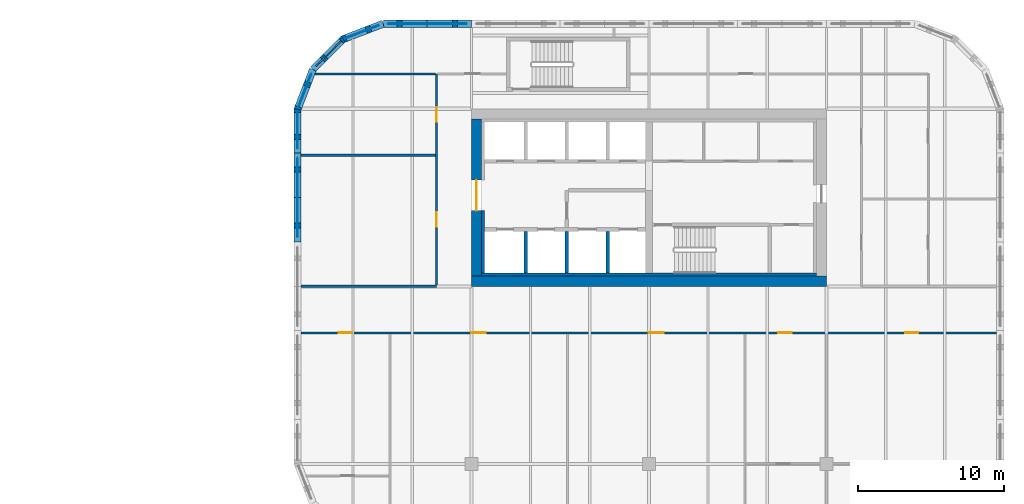
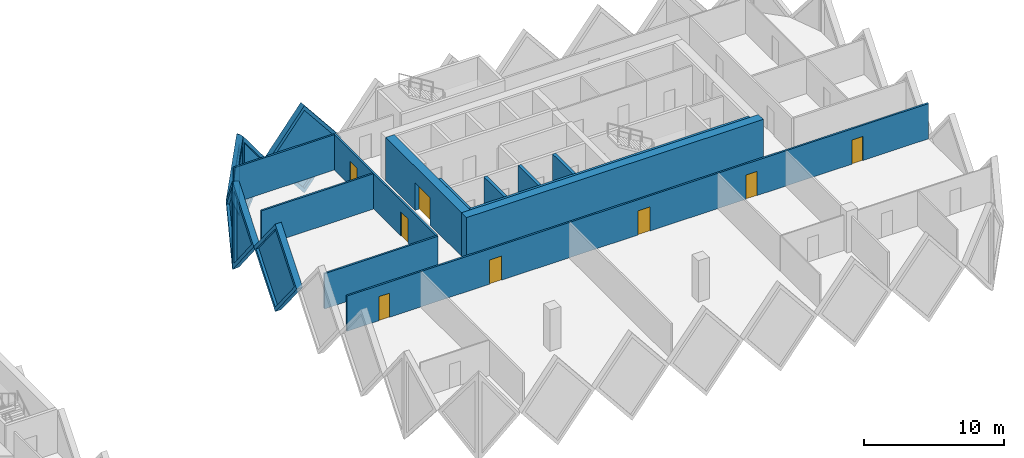
# One storey, part 12 of 18: 18 walls, 8 doors, 6 plates, 14 openings.
"""IFC4 building model written with IfcOpenShell, lengths in metres."""

from ifc_helpers import new_model, si_unit, direction, frame, frame_2d, origin, place, context, subcontext, project, spatial, polyline, rectangle, outline, extrude, faceted_brep, source, transform, mapped, material, layer, layer_set, type_object, element, fill, save


model = new_model("IFC4")

# Units and contexts
model_context = context("Model", 3, precision=1e-05, world=origin(), true_north=direction((0.0, 1.0)))
body_context = subcontext(model_context, "Body", "Model", "MODEL_VIEW")
ifc_project = project(units=[si_unit("LENGTHUNIT", "METRE"), si_unit("AREAUNIT", "SQUARE_METRE"), si_unit("VOLUMEUNIT", "CUBIC_METRE"), si_unit("PLANEANGLEUNIT", "RADIAN"), si_unit("MASSUNIT", "GRAM", prefix="KILO")], contexts=[model_context])

# Site, building, storey
site_placement = place(None, origin())
site = spatial("IfcSite", under=ifc_project, at=site_placement, CompositionType="ELEMENT")
building_placement = place(site_placement, origin())
building = spatial("IfcBuilding", under=site, at=building_placement, Name="Tessera Gate Towers", CompositionType="ELEMENT")
storey_placement = place(building_placement, frame((0.0, 0.0, 37.199951171875)))
storey = spatial("IfcBuildingStorey", under=building, at=storey_placement, Name="L08", CompositionType="ELEMENT", Elevation=37.199951171875)

# Walls
ifc_material_1 = material(Name="Concrete C40/50", Category="concrete")
ifc_layer_1 = layer(ifc_material_1, 0.25)
ifc_layer_set_1 = layer_set([ifc_layer_1], Name="CORE ENCLOSURE WALL 250")
wall_type_1 = type_object("IfcWallType", Name="CORE ENCLOSURE WALL 250", PredefinedType="SOLIDWALL", material=ifc_layer_set_1)
for number, where, z_axis, x_axis, name in (
    (1, (104.14990234375, 37.5, 0.0), (0.0, 0.0, 1.0), (0.0, 1.0, 0.0), "L08 shaft and stair enclosure wall"),
    (2, (101.324951171875, 37.5, 0.0), (0.0, 0.0, 1.0), (0.0, 1.0, 0.0), "L08 shaft and stair enclosure wall"),
    (3, (106.97509765625, 37.5, 0.0), (0.0, 0.0, 1.0), (0.0, 1.0, 0.0), "L08 shaft and stair enclosure wall"),
):
    element("IfcWall", number, at=place(storey_placement, frame(where, z_axis=z_axis, x_axis=x_axis)), inside=storey, type_object=wall_type_1, Name=name, PredefinedType="SOLIDWALL", context=body_context, shape_type="SweptSolid", body=[
        extrude(rectangle(XDim=2.875, YDim=0.25, at=frame_2d((1.4375, 0.0))), origin(), (0.0, 0.0, 1.0), 3.800048828125),
    ])
ifc_material_2 = material(Name="Concrete C60/75", Category="concrete")
ifc_layer_2 = layer(ifc_material_2, 0.699951171875)
ifc_layer_set_2 = layer_set([ifc_layer_2], Name="CORE SHEAR WALL 700 C60/75")
wall_type_2 = type_object("IfcWallType", Name="CORE SHEAR WALL 700 C60/75", PredefinedType="SHEAR", material=ifc_layer_set_2)
wall_1_placement = place(storey_placement, frame((122.0, 36.949951171875, 0.0), z_axis=(0.0, 0.0, 1.0), x_axis=(-1.0, 0.0, 0.0)))
element("IfcWall", 4, at=wall_1_placement, inside=storey, type_object=wall_type_2, Name="Core wall S L08", PredefinedType="SHEAR", context=body_context, shape_type="SweptSolid", body=[
    extrude(rectangle(XDim=24.39990234375, YDim=0.699951171875, at=frame_2d((12.199951171875, 0.0))), origin(), (0.0, 0.0, 1.0), 3.800048828125),
])

# Wall, opening, door
wall_2_placement = place(storey_placement, frame((97.949951171875, 37.300048828125, 0.0), z_axis=(0.0, 0.0, 1.0), x_axis=(0.0, 1.0, 0.0)))
wall_2 = element("IfcWall", 5, at=wall_2_placement, inside=storey, type_object=wall_type_2, Name="Core wall W L08", PredefinedType="SHEAR", context=body_context, shape_type="SweptSolid", body=[
    extrude(rectangle(XDim=10.800048828125, YDim=0.699951171875, at=frame_2d((5.39990234375, 0.0))), origin(), (0.0, 0.0, 1.0), 3.800048828125),
])
shared_shape_1 = source(origin(), body_context, "Body", "SweptSolid", [
    extrude(rectangle(XDim=2.10009765625, YDim=2.39990234375, at=frame_2d((1.050048828125, 1.199951171875))), frame((0.0, 0.35986328125, 0.0), z_axis=(0.0, -1.0, 0.0), x_axis=(1.0, 0.0, 0.0)), (0.0, 0.0, 1.0), 0.719970703125),
])
opening_1_placement = place(wall_2_placement, frame((4.5, 0.0, 0.0)))
opening_1 = element("IfcOpeningElement", 6, at=opening_1_placement, cuts=wall_2, Name="Opening DD-T2-07-01", PredefinedType="OPENING", context=body_context, shape_type="MappedRepresentation", body=[
    mapped(shared_shape_1, transform((0.0, 0.0, 0.0), scale=1.0)),
])
ifc_material_3 = material(Name="Hollow steel fire door", Category="steel")
door_type_1 = type_object("IfcDoorType", Name="CORE DOOR DD 2100x2400", OperationType="NOTDEFINED", PredefinedType="DOOR", material=ifc_material_3)
shared_shape_2 = source(origin(), body_context, "Body", "SweptSolid", [
    extrude(rectangle(XDim=2.10009765625, YDim=2.39990234375, at=frame_2d((1.050048828125, 1.199951171875))), frame((0.0, 0.02490234375, 0.0), z_axis=(0.0, -1.0, 0.0), x_axis=(1.0, 0.0, 0.0)), (0.0, 0.0, 1.0), 0.050048828125),
])
door_1_placement = place(opening_1_placement, origin())
door_1 = element("IfcDoor", 7, at=door_1_placement, inside=storey, type_object=door_type_1, Name="Core entrance door", OperationType="DOUBLE_DOOR_SINGLE_SWING", OverallHeight=2.39990234375, OverallWidth=2.10009765625, PredefinedType="DOOR", context=body_context, shape_type="MappedRepresentation", body=[
    mapped(shared_shape_2, transform((0.0, 0.0, 0.0), scale=1.0)),
])
fill(opening_1, door_1)

# Walls
ifc_material_4 = material(Name="Concrete C60/75", Category="concrete")
ifc_layer_3 = layer(ifc_material_4, 0.199951171875)
ifc_layer_set_3 = layer_set([ifc_layer_3], Name="CORE WALL THICKENING 200")
wall_type_3 = type_object("IfcWallType", Name="CORE WALL THICKENING 200", PredefinedType="SOLIDWALL", material=ifc_layer_set_3)
wall_3_placement = place(storey_placement, frame((98.300048828125, 37.39990234375, 0.0), z_axis=(0.0, 0.0, 1.0), x_axis=(1.0, 0.0, 0.0)))
element("IfcWall", 8, at=wall_3_placement, inside=storey, type_object=wall_type_3, Name="Core wall thickening S L08", PredefinedType="SOLIDWALL", context=body_context, shape_type="SweptSolid", body=[
    extrude(rectangle(XDim=23.0, YDim=0.199951171875, at=frame_2d((11.5, 0.0))), origin(), (0.0, 0.0, 1.0), 3.800048828125),
])
wall_4_placement = place(storey_placement, frame((98.39990234375, 37.5, 0.0), z_axis=(0.0, 0.0, 1.0), x_axis=(0.0, 1.0, 0.0)))
element("IfcWall", 9, at=wall_4_placement, inside=storey, type_object=wall_type_3, Name="Core wall thickening W L08", PredefinedType="SOLIDWALL", context=body_context, shape_type="SweptSolid", body=[
    extrude(rectangle(XDim=4.300048828125, YDim=0.199951171875, at=frame_2d((2.14990234375, 0.0))), origin(), (0.0, 0.0, 1.0), 3.800048828125),
])

# Wall, openings, doors
ifc_material_5 = material(Name="Gypsum board on steel studs, mineral wool", Category="steel")
ifc_layer_4 = layer(ifc_material_5, 0.14990234375)
ifc_layer_set_4 = layer_set([ifc_layer_4], Name="CORRIDOR WALL 150")
wall_type_4 = type_object("IfcWallType", Name="CORRIDOR WALL 150", PredefinedType="PARTITIONING", material=ifc_layer_set_4)
wall_5_placement = place(storey_placement, frame((133.699951171875, 33.39990234375, 0.0), z_axis=(0.0, 0.0, 1.0), x_axis=(-1.0, 0.0, 0.0)))
wall_5 = element("IfcWall", 10, at=wall_5_placement, inside=storey, type_object=wall_type_4, Name="T2-L08-PW-011", PredefinedType="PARTITIONING", context=body_context, shape_type="SweptSolid", body=[
    extrude(rectangle(XDim=47.800048828125, YDim=0.14990234375, at=frame_2d((23.89990234375, 0.0))), origin(), (0.0, 0.0, 1.0), 3.067138671875),
])
shared_shape_3 = source(origin(), body_context, "Body", "SweptSolid", [
    extrude(rectangle(XDim=0.89990234375, YDim=2.10009765625, at=frame_2d((0.449951171875, 1.050048828125))), frame((0.0, 0.0849609375, 0.0), z_axis=(0.0, -1.0, 0.0), x_axis=(1.0, 0.0, 0.0)), (0.0, 0.0, 1.0), 0.169921875),
])
opening_2_placement = place(wall_5_placement, frame((14.09912109375, 0.0, 0.0)))
opening_2 = element("IfcOpeningElement", 11, at=opening_2_placement, cuts=wall_5, Name="Opening D890FD60-B04-01", PredefinedType="OPENING", context=body_context, shape_type="MappedRepresentation", body=[
    mapped(shared_shape_3, transform((0.0, 0.0, 0.0), scale=1.0)),
])
opening_3_placement = place(wall_5_placement, frame((44.300048828125, 0.0, 0.0)))
opening_3 = element("IfcOpeningElement", 12, at=opening_3_placement, cuts=wall_5, Name="Opening D890FD60-B04-02", PredefinedType="OPENING", context=body_context, shape_type="MappedRepresentation", body=[
    mapped(shared_shape_3, transform((0.0, 0.0, 0.0), scale=1.0)),
])
opening_4_placement = place(wall_5_placement, frame((5.39990234375, 0.0, 0.0)))
opening_4 = element("IfcOpeningElement", 13, at=opening_4_placement, cuts=wall_5, Name="Opening D890FD60-B04-03", PredefinedType="OPENING", context=body_context, shape_type="MappedRepresentation", body=[
    mapped(shared_shape_3, transform((0.0, 0.0, 0.0), scale=1.0)),
])
shared_shape_4 = source(origin(), body_context, "Body", "SweptSolid", [
    extrude(rectangle(XDim=1.0, YDim=2.10009765625, at=frame_2d((0.5, 1.050048828125))), frame((0.0, 0.0849609375, 0.0), z_axis=(0.0, -1.0, 0.0), x_axis=(1.0, 0.0, 0.0)), (0.0, 0.0, 1.0), 0.169921875),
])
opening_5_placement = place(wall_5_placement, frame((22.89892578125, 0.0, 0.0)))
opening_5 = element("IfcOpeningElement", 14, at=opening_5_placement, cuts=wall_5, Name="Opening D2100FD60-B04-05", PredefinedType="OPENING", context=body_context, shape_type="MappedRepresentation", body=[
    mapped(shared_shape_4, transform((0.0, 0.0, 0.0), scale=1.0)),
])
opening_6_placement = place(wall_5_placement, frame((35.10009765625, 0.0, 0.0)))
opening_6 = element("IfcOpeningElement", 15, at=opening_6_placement, cuts=wall_5, Name="Opening D2100FD60-B04-06", PredefinedType="OPENING", context=body_context, shape_type="MappedRepresentation", body=[
    mapped(shared_shape_4, transform((0.0, 0.0, 0.0), scale=1.0)),
])
ifc_material_6 = material(Name="Timber door leaf in steel frame", Category="steel")
door_type_2 = type_object("IfcDoorType", Name="CORRIDOR DOOR 900 FD60", OperationType="NOTDEFINED", PredefinedType="DOOR", material=ifc_material_6)
shared_shape_5 = source(origin(), body_context, "Body", "SweptSolid", [
    extrude(rectangle(XDim=0.89990234375, YDim=2.10009765625, at=frame_2d((0.449951171875, 1.050048828125))), frame((0.0, 0.02490234375, 0.0), z_axis=(0.0, -1.0, 0.0), x_axis=(1.0, 0.0, 0.0)), (0.0, 0.0, 1.0), 0.050048828125),
])
door_2_placement = place(opening_2_placement, origin())
door_2 = element("IfcDoor", 16, at=door_2_placement, inside=storey, type_object=door_type_2, Name="T2-L08-PD-004", OperationType="SINGLE_SWING_RIGHT", OverallHeight=2.10009765625, OverallWidth=0.89990234375, PredefinedType="DOOR", context=body_context, shape_type="MappedRepresentation", body=[
    mapped(shared_shape_5, transform((0.0, 0.0, 0.0), scale=1.0)),
])
fill(opening_2, door_2)
door_3_placement = place(opening_3_placement, origin())
door_3 = element("IfcDoor", 17, at=door_3_placement, inside=storey, type_object=door_type_2, Name="T2-L08-PD-009", OperationType="SINGLE_SWING_RIGHT", OverallHeight=2.10009765625, OverallWidth=0.89990234375, PredefinedType="DOOR", context=body_context, shape_type="MappedRepresentation", body=[
    mapped(shared_shape_5, transform((0.0, 0.0, 0.0), scale=1.0)),
])
fill(opening_3, door_3)
door_4_placement = place(opening_4_placement, origin())
door_4 = element("IfcDoor", 18, at=door_4_placement, inside=storey, type_object=door_type_2, Name="T2-L08-PD-012", OperationType="SINGLE_SWING_RIGHT", OverallHeight=2.10009765625, OverallWidth=0.89990234375, PredefinedType="DOOR", context=body_context, shape_type="MappedRepresentation", body=[
    mapped(shared_shape_5, transform((0.0, 0.0, 0.0), scale=1.0)),
])
fill(opening_4, door_4)
ifc_material_7 = material(Name="Timber door leaf in steel frame", Category="steel")
door_type_3 = type_object("IfcDoorType", Name="TENANCY ENTRANCE DOOR 1000 FD60", OperationType="NOTDEFINED", PredefinedType="DOOR", material=ifc_material_7)
shared_shape_6 = source(origin(), body_context, "Body", "SweptSolid", [
    extrude(rectangle(XDim=1.0, YDim=2.10009765625, at=frame_2d((0.5, 1.050048828125))), frame((0.0, 0.02490234375, 0.0), z_axis=(0.0, -1.0, 0.0), x_axis=(1.0, 0.0, 0.0)), (0.0, 0.0, 1.0), 0.050048828125),
])
door_5_placement = place(opening_5_placement, origin())
door_5 = element("IfcDoor", 19, at=door_5_placement, inside=storey, type_object=door_type_3, Name="T2-L08-PD-013", OperationType="SINGLE_SWING_RIGHT", OverallHeight=2.10009765625, OverallWidth=1.0, PredefinedType="DOOR", context=body_context, shape_type="MappedRepresentation", body=[
    mapped(shared_shape_6, transform((0.0, 0.0, 0.0), scale=1.0)),
])
fill(opening_5, door_5)
door_6_placement = place(opening_6_placement, origin())
door_6 = element("IfcDoor", 20, at=door_6_placement, inside=storey, type_object=door_type_3, Name="T2-L08-PD-014", OperationType="SINGLE_SWING_RIGHT", OverallHeight=2.10009765625, OverallWidth=1.0, PredefinedType="DOOR", context=body_context, shape_type="MappedRepresentation", body=[
    mapped(shared_shape_6, transform((0.0, 0.0, 0.0), scale=1.0)),
])
fill(opening_6, door_6)

# Wall
wall_6_placement = place(storey_placement, frame((85.89990234375, 36.60009765625, 0.0), z_axis=(0.0, 0.0, 1.0), x_axis=(1.0, 0.0, 0.0)))
element("IfcWall", 21, at=wall_6_placement, inside=storey, type_object=wall_type_4, Name="T2-L08-PW-012", PredefinedType="PARTITIONING", context=body_context, shape_type="SweptSolid", body=[
    extrude(rectangle(XDim=9.300048828125, YDim=0.14990234375, at=frame_2d((4.64990234375, 0.0))), origin(), (0.0, 0.0, 1.0), 3.067138671875),
])

# Wall, openings, doors
wall_7_placement = place(storey_placement, frame((95.199951171875, 36.676025390625, 0.0), z_axis=(0.0, 0.0, 1.0), x_axis=(0.0, 1.0, 0.0)))
wall_7 = element("IfcWall", 22, at=wall_7_placement, inside=storey, type_object=wall_type_4, Name="T2-L08-PW-015", PredefinedType="PARTITIONING", context=body_context, shape_type="SweptSolid", body=[
    extrude(rectangle(XDim=14.52392578125, YDim=0.14990234375, at=frame_2d((7.261962890625, 0.0))), origin(), (0.0, 0.0, 1.0), 3.067138671875),
])
opening_7_placement = place(wall_7_placement, frame((11.22509765625, 0.0, 0.0)))
opening_7 = element("IfcOpeningElement", 23, at=opening_7_placement, cuts=wall_7, Name="Opening D2100FD60-B04-02", PredefinedType="OPENING", context=body_context, shape_type="MappedRepresentation", body=[
    mapped(shared_shape_4, transform((0.0, 0.0, 0.0), scale=1.0)),
])
opening_8_placement = place(wall_7_placement, frame((4.0, 0.0, 0.0)))
opening_8 = element("IfcOpeningElement", 24, at=opening_8_placement, cuts=wall_7, Name="Opening D2100FD60-B04-07", PredefinedType="OPENING", context=body_context, shape_type="MappedRepresentation", body=[
    mapped(shared_shape_4, transform((0.0, 0.0, 0.0), scale=1.0)),
])
door_7_placement = place(opening_7_placement, origin())
door_7 = element("IfcDoor", 25, at=door_7_placement, inside=storey, type_object=door_type_3, Name="T2-L08-PD-005", OperationType="SINGLE_SWING_LEFT", OverallHeight=2.10009765625, OverallWidth=1.0, PredefinedType="DOOR", context=body_context, shape_type="MappedRepresentation", body=[
    mapped(shared_shape_6, transform((0.0, 0.0, 0.0), scale=1.0)),
])
fill(opening_7, door_7)
door_8_placement = place(opening_8_placement, origin())
door_8 = element("IfcDoor", 26, at=door_8_placement, inside=storey, type_object=door_type_3, Name="T2-L08-PD-017", OperationType="SINGLE_SWING_LEFT", OverallHeight=2.10009765625, OverallWidth=1.0, PredefinedType="DOOR", context=body_context, shape_type="MappedRepresentation", body=[
    mapped(shared_shape_6, transform((0.0, 0.0, 0.0), scale=1.0)),
])
fill(opening_8, door_8)

# Walls
ifc_material_8 = material(Name="Gypsum board on steel studs, mineral wool", Category="steel")
ifc_layer_5 = layer(ifc_material_8, 0.14990234375)
ifc_layer_set_5 = layer_set([ifc_layer_5], Name="TENANCY WALL 150")
wall_type_5 = type_object("IfcWallType", Name="TENANCY WALL 150", PredefinedType="PARTITIONING", material=ifc_layer_set_5)
wall_8_placement = place(storey_placement, frame((85.89990234375, 45.60009765625, 0.0), z_axis=(0.0, 0.0, 1.0), x_axis=(1.0, 0.0, 0.0)))
element("IfcWall", 27, at=wall_8_placement, inside=storey, type_object=wall_type_5, Name="T2-L08-PW-019", PredefinedType="PARTITIONING", context=body_context, shape_type="SweptSolid", body=[
    extrude(rectangle(XDim=9.22412109375, YDim=0.14990234375, at=frame_2d((4.612060546875, 0.0))), origin(), (0.0, 0.0, 1.0), 3.067138671875),
])
wall_9_placement = place(storey_placement, frame((86.86181640625, 51.199951171875, 0.0), z_axis=(0.0, 0.0, 1.0), x_axis=(1.0, 0.0, 0.0)))
element("IfcWall", 28, at=wall_9_placement, inside=storey, type_object=wall_type_5, Name="T2-L08-PW-020", PredefinedType="PARTITIONING", context=body_context, shape_type="SweptSolid", body=[
    extrude(rectangle(XDim=8.26220703125, YDim=0.14990234375, at=frame_2d((4.131103515625, 0.0))), origin(), (0.0, 0.0, 1.0), 3.067138671875),
])

# Wall, opening, plate
ifc_material_9 = material(Name="Precast concrete C60/75 white", Category="concrete")
ifc_layer_6 = layer(ifc_material_9, 0.5)
ifc_layer_set_6 = layer_set([ifc_layer_6], Name="TS1 tessera")
wall_type_6 = type_object("IfcWallType", Name="TS1 tessera", PredefinedType="SOLIDWALL", material=ifc_layer_set_6)
shared_shape_7 = source(origin(), body_context, "Body", "SweptSolid", [
    extrude(outline(polyline([(3.050048828125, 0.0), (6.10009765625, 3.800048828125), (3.050048828125, 7.60009765625), (0.0, 3.800048828125), (3.050048828125, 0.0)])), frame((0.0, 0.25, 0.0), z_axis=(0.0, -1.0, 0.0), x_axis=(1.0, 0.0, 0.0)), (0.0, 0.0, 1.0), 0.5),
])
wall_10_placement = place(storey_placement, frame((85.64990234375, 45.75, -3.800048828125), z_axis=(0.0, 0.0, 1.0), x_axis=(0.0, -1.0, 0.0)))
wall_10 = element("IfcWall", 29, at=wall_10_placement, inside=storey, type_object=wall_type_6, Name="Precast tessera T2 TS1-0069", PredefinedType="SOLIDWALL", context=body_context, shape_type="MappedRepresentation", body=[
    mapped(shared_shape_7, transform((0.0, 0.0, 0.0), scale=1.0)),
])
shared_shape_8 = source(origin(), body_context, "Body", "SweptSolid", [
    extrude(outline(polyline([(3.050048828125, 0.3994140625), (5.779541015625, 3.800048828125), (3.050048828125, 7.20068359375), (0.320556640625, 3.800048828125), (3.050048828125, 0.3994140625)])), frame((0.0, 0.260009765625, 0.0), z_axis=(0.0, -1.0, 0.0), x_axis=(1.0, 0.0, 0.0)), (0.0, 0.0, 1.0), 0.52001953125),
])
opening_9_placement = place(wall_10_placement, origin())
opening_9 = element("IfcOpeningElement", 30, at=opening_9_placement, cuts=wall_10, Name="Opening T2-PL2-0129", PredefinedType="OPENING", context=body_context, shape_type="MappedRepresentation", body=[
    mapped(shared_shape_8, transform((0.0, 0.0, 0.0), scale=1.0)),
])
ifc_material_10 = material(Name="Low-e laminated glass", Category="glass")
ifc_layer_7 = layer(ifc_material_10, 0.06005859375)
ifc_layer_set_7 = layer_set([ifc_layer_7], Name="PL2 rhombic pane")
plate_type = type_object("IfcPlateType", Name="PL2 rhombic pane", PredefinedType="SHEET", material=ifc_layer_set_7)
shared_shape_9 = source(origin(), body_context, "Body", "SweptSolid", [
    extrude(outline(polyline([(3.050048828125, 0.3994140625), (5.779541015625, 3.800048828125), (3.050048828125, 7.20068359375), (0.320556640625, 3.800048828125), (3.050048828125, 0.3994140625)])), frame((0.0, 0.030029296875, 0.0), z_axis=(0.0, -1.0, 0.0), x_axis=(1.0, 0.0, 0.0)), (0.0, 0.0, 1.0), 0.06005859375),
])
plate_1_placement = place(opening_9_placement, origin())
plate_1 = element("IfcPlate", 31, at=plate_1_placement, inside=storey, type_object=plate_type, Name="Glass pane T2 PL2-0129", PredefinedType="SHEET", context=body_context, shape_type="MappedRepresentation", body=[
    mapped(shared_shape_9, transform((0.0, 0.0, 0.0), scale=1.0)),
])
fill(opening_9, plate_1)

shared_shape_10 = source(origin(), body_context, "Body", "Brep", [
    faceted_brep([(3.050048828125, -0.25, 0.0), (6.053466796875, -0.25, 3.800048828125), (3.050048828125, -0.25, 7.60009765625), (0.0, -0.25, 3.800048828125), (0.0, 0.25, 3.800048828125), (3.050048828125, 0.25, 7.60009765625), (6.0068359375, 0.25, 3.85888671875), (6.0068359375, 0.25, 3.7412109375), (3.050048828125, 0.25, 0.0), (6.053466796875, 0.0, 3.800048828125)], [[[0, 1, 2, 3]], [[4, 5, 6, 7, 8]], [[8, 7, 9, 1, 0]], [[6, 5, 2, 1, 9]], [[5, 4, 3, 2]], [[4, 8, 0, 3]], [[9, 7, 6]]]),
])
wall_11_placement = place(storey_placement, frame((97.60009765625, 54.64990234375, -3.800048828125), z_axis=(0.0, 0.0, 1.0), x_axis=(-1.0, 0.0, 0.0)))
wall_11 = element("IfcWall", 32, at=wall_11_placement, inside=storey, type_object=wall_type_6, Name="Precast tessera T2 TS1-0068", PredefinedType="SOLIDWALL", context=body_context, shape_type="MappedRepresentation", body=[
    mapped(shared_shape_10, transform((0.0, 0.0, 0.0), scale=1.0)),
])
shared_shape_11 = source(origin(), body_context, "Body", "SweptSolid", [
    extrude(outline(polyline([(3.048583984375, 0.4013671875), (5.73486328125, 3.800048828125), (3.048583984375, 7.19873046875), (0.320556640625, 3.800048828125), (3.048583984375, 0.4013671875)])), frame((0.0, 0.260009765625, 0.0), z_axis=(0.0, -1.0, 0.0), x_axis=(1.0, 0.0, 0.0)), (0.0, 0.0, 1.0), 0.52001953125),
])
opening_10_placement = place(wall_11_placement, origin())
opening_10 = element("IfcOpeningElement", 33, at=opening_10_placement, cuts=wall_11, Name="Opening T2-PL2-0124", PredefinedType="OPENING", context=body_context, shape_type="MappedRepresentation", body=[
    mapped(shared_shape_11, transform((0.0, 0.0, 0.0), scale=1.0)),
])
shared_shape_12 = source(origin(), body_context, "Body", "SweptSolid", [
    extrude(outline(polyline([(3.048583984375, 0.4013671875), (5.73486328125, 3.800048828125), (3.048583984375, 7.19873046875), (0.320556640625, 3.800048828125), (3.048583984375, 0.4013671875)])), frame((0.0, 0.030029296875, 0.0), z_axis=(0.0, -1.0, 0.0), x_axis=(1.0, 0.0, 0.0)), (0.0, 0.0, 1.0), 0.06005859375),
])
plate_2_placement = place(opening_10_placement, origin())
plate_2 = element("IfcPlate", 34, at=plate_2_placement, inside=storey, type_object=plate_type, Name="Glass pane T2 PL2-0124", PredefinedType="SHEET", context=body_context, shape_type="MappedRepresentation", body=[
    mapped(shared_shape_12, transform((0.0, 0.0, 0.0), scale=1.0)),
])
fill(opening_10, plate_2)

ifc_material_11 = material(Name="Precast concrete C60/75 white", Category="concrete")
ifc_layer_8 = layer(ifc_material_11, 0.5)
ifc_layer_set_8 = layer_set([ifc_layer_8], Name="TS3 corner tessera")
wall_type_7 = type_object("IfcWallType", Name="TS3 corner tessera", PredefinedType="SOLIDWALL", material=ifc_layer_set_8)
shared_shape_13 = source(origin(), body_context, "Body", "Brep", [
    faceted_brep([(2.950439453125, -0.25, 0.0), (3.00341796875, -0.25, 0.068359375), (3.00341796875, -0.25, 7.53173828125), (2.950439453125, -0.25, 7.60009765625), (0.0, -0.25, 3.800048828125), (0.046630859375, 0.25, 3.860107421875), (2.897705078125, 0.25, 7.531982421875), (2.897705078125, 0.25, 0.068115234375), (0.046630859375, 0.25, 3.739990234375), (2.950439453125, 0.00048828125, 0.0), (2.950439453125, 0.00048828125, 7.60009765625), (0.0, 0.0, 3.800048828125)], [[[0, 1, 2, 3, 4]], [[5, 6, 7, 8]], [[1, 0, 9]], [[10, 3, 2]], [[6, 5, 11, 4, 3, 10]], [[8, 7, 9, 0, 4, 11]], [[8, 11, 5]], [[1, 9, 7, 6, 10, 2]]]),
])
wall_12_placement = place(storey_placement, frame((91.546630859375, 54.64990234375, -3.800048828125), z_axis=(0.0, 0.0, 1.0), x_axis=(-0.933007896601, -0.359855894603, 0.0)))
wall_12 = element("IfcWall", 35, at=wall_12_placement, inside=storey, type_object=wall_type_7, Name="Precast corner tessera T2 TS3-0105", PredefinedType="SOLIDWALL", context=body_context, shape_type="MappedRepresentation", body=[
    mapped(shared_shape_13, transform((0.0, 0.0, 0.0), scale=1.0)),
])
shared_shape_14 = source(origin(), body_context, "Body", "SweptSolid", [
    extrude(outline(polyline([(2.75048828125, 6.934814453125), (0.31640625, 3.800048828125), (2.75048828125, 0.665283203125), (2.75048828125, 6.934814453125)])), frame((0.0, 0.260009765625, 0.0), z_axis=(0.0, -1.0, 0.0), x_axis=(1.0, 0.0, 0.0)), (0.0, 0.0, 1.0), 0.52001953125),
])
opening_11_placement = place(wall_12_placement, origin())
opening_11 = element("IfcOpeningElement", 36, at=opening_11_placement, cuts=wall_12, Name="Opening T2-PL2-0125", PredefinedType="OPENING", context=body_context, shape_type="MappedRepresentation", body=[
    mapped(shared_shape_14, transform((0.0, 0.0, 0.0), scale=1.0)),
])
shared_shape_15 = source(origin(), body_context, "Body", "SweptSolid", [
    extrude(outline(polyline([(2.75048828125, 6.934814453125), (0.31640625, 3.800048828125), (2.75048828125, 0.665283203125), (2.75048828125, 6.934814453125)])), frame((0.0, 0.030029296875, 0.0), z_axis=(0.0, -1.0, 0.0), x_axis=(1.0, 0.0, 0.0)), (0.0, 0.0, 1.0), 0.06005859375),
])
plate_3_placement = place(opening_11_placement, origin())
plate_3 = element("IfcPlate", 37, at=plate_3_placement, inside=storey, type_object=plate_type, Name="Glass pane T2 PL2-0125", PredefinedType="SHEET", context=body_context, shape_type="MappedRepresentation", body=[
    mapped(shared_shape_15, transform((0.0, 0.0, 0.0), scale=1.0)),
])
fill(opening_11, plate_3)

shared_shape_16 = source(origin(), body_context, "Body", "Brep", [
    faceted_brep([(0.052978515625, -0.25, 0.0), (2.9970703125, -0.25, 3.800048828125), (0.052978515625, -0.25, 7.60009765625), (0.0, -0.25, 7.531982421875), (0.0, -0.25, 0.068115234375), (0.10595703125, 0.25, 7.53173828125), (2.944091796875, 0.25, 3.8681640625), (2.944091796875, 0.25, 3.73193359375), (0.10595703125, 0.25, 0.068359375), (2.9970703125, 0.000244140625, 3.800048828125), (0.052978515625, 0.0, 0.0), (0.052978515625, 0.0, 7.60009765625)], [[[0, 1, 2, 3, 4]], [[5, 6, 7, 8]], [[8, 7, 9, 1, 0, 10]], [[6, 5, 11, 2, 1, 9]], [[3, 2, 11]], [[10, 0, 4]], [[8, 10, 4, 3, 11, 5]], [[9, 7, 6]]]),
])
wall_13_placement = place(storey_placement, frame((88.831298828125, 53.62548828125, -3.800048828125), z_axis=(0.0, 0.0, 1.0), x_axis=(-0.707147509625, -0.707066050402, 0.0)))
wall_13 = element("IfcWall", 38, at=wall_13_placement, inside=storey, type_object=wall_type_7, Name="Precast corner tessera T2 TS3-0106", PredefinedType="SOLIDWALL", context=body_context, shape_type="MappedRepresentation", body=[
    mapped(shared_shape_16, transform((0.0, 0.0, 0.0), scale=1.0)),
])
shared_shape_17 = source(origin(), body_context, "Body", "SweptSolid", [
    extrude(outline(polyline([(0.2529296875, 0.66650390625), (2.680908203125, 3.800048828125), (0.2529296875, 6.933837890625), (0.2529296875, 0.66650390625)])), frame((0.0, 0.260009765625, 0.0), z_axis=(0.0, -1.0, 0.0), x_axis=(1.0, 0.0, 0.0)), (0.0, 0.0, 1.0), 0.52001953125),
])
opening_12_placement = place(wall_13_placement, origin())
opening_12 = element("IfcOpeningElement", 39, at=opening_12_placement, cuts=wall_13, Name="Opening T2-PL2-0126", PredefinedType="OPENING", context=body_context, shape_type="MappedRepresentation", body=[
    mapped(shared_shape_17, transform((0.0, 0.0, 0.0), scale=1.0)),
])
shared_shape_18 = source(origin(), body_context, "Body", "SweptSolid", [
    extrude(outline(polyline([(0.2529296875, 0.66650390625), (2.680908203125, 3.800048828125), (0.2529296875, 6.933837890625), (0.2529296875, 0.66650390625)])), frame((0.0, 0.030029296875, 0.0), z_axis=(0.0, -1.0, 0.0), x_axis=(1.0, 0.0, 0.0)), (0.0, 0.0, 1.0), 0.06005859375),
])
plate_4_placement = place(opening_12_placement, origin())
plate_4 = element("IfcPlate", 40, at=plate_4_placement, inside=storey, type_object=plate_type, Name="Glass pane T2 PL2-0126", PredefinedType="SHEET", context=body_context, shape_type="MappedRepresentation", body=[
    mapped(shared_shape_18, transform((0.0, 0.0, 0.0), scale=1.0)),
])
fill(opening_12, plate_4)

shared_shape_19 = source(origin(), body_context, "Body", "Brep", [
    faceted_brep([(0.046630859375, -0.25, 0.0), (3.050048828125, -0.25, 3.800048828125), (0.046630859375, -0.25, 7.60009765625), (0.0, -0.25, 7.5400390625), (0.0, -0.25, 0.06005859375), (0.09326171875, 0.25, 7.541259765625), (3.050048828125, 0.25, 3.800048828125), (0.09326171875, 0.25, 0.058837890625), (0.046630859375, 0.0, 0.0), (0.046630859375, 0.0, 7.60009765625)], [[[0, 1, 2, 3, 4]], [[5, 6, 7]], [[7, 6, 1, 0, 8]], [[6, 5, 9, 2, 1]], [[3, 2, 9]], [[8, 0, 4]], [[7, 8, 4, 3, 9, 5]]]),
])
wall_14_placement = place(storey_placement, frame((85.64990234375, 48.800048828125, -3.800048828125), z_axis=(0.0, 0.0, 1.0), x_axis=(0.0, -1.0, 0.0)))
wall_14 = element("IfcWall", 41, at=wall_14_placement, inside=storey, type_object=wall_type_7, Name="Precast corner tessera T2 TS3-0108", PredefinedType="SOLIDWALL", context=body_context, shape_type="MappedRepresentation", body=[
    mapped(shared_shape_19, transform((0.0, 0.0, 0.0), scale=1.0)),
])
shared_shape_20 = source(origin(), body_context, "Body", "SweptSolid", [
    extrude(outline(polyline([(0.24658203125, 0.65625), (2.7314453125, 3.800048828125), (0.24658203125, 6.94384765625), (0.24658203125, 0.65625)])), frame((0.0, 0.260009765625, 0.0), z_axis=(0.0, -1.0, 0.0), x_axis=(1.0, 0.0, 0.0)), (0.0, 0.0, 1.0), 0.52001953125),
])
opening_13_placement = place(wall_14_placement, origin())
opening_13 = element("IfcOpeningElement", 42, at=opening_13_placement, cuts=wall_14, Name="Opening T2-PL2-0128", PredefinedType="OPENING", context=body_context, shape_type="MappedRepresentation", body=[
    mapped(shared_shape_20, transform((0.0, 0.0, 0.0), scale=1.0)),
])
shared_shape_21 = source(origin(), body_context, "Body", "SweptSolid", [
    extrude(outline(polyline([(0.24658203125, 0.65625), (2.7314453125, 3.800048828125), (0.24658203125, 6.94384765625), (0.24658203125, 0.65625)])), frame((0.0, 0.030029296875, 0.0), z_axis=(0.0, -1.0, 0.0), x_axis=(1.0, 0.0, 0.0)), (0.0, 0.0, 1.0), 0.06005859375),
])
plate_5_placement = place(opening_13_placement, origin())
plate_5 = element("IfcPlate", 43, at=plate_5_placement, inside=storey, type_object=plate_type, Name="Glass pane T2 PL2-0128", PredefinedType="SHEET", context=body_context, shape_type="MappedRepresentation", body=[
    mapped(shared_shape_21, transform((0.0, 0.0, 0.0), scale=1.0)),
])
fill(opening_13, plate_5)

shared_shape_22 = source(origin(), body_context, "Body", "Brep", [
    faceted_brep([(2.950439453125, -0.25, 0.0), (2.9970703125, -0.25, 0.05908203125), (2.9970703125, -0.25, 7.541015625), (2.950439453125, -0.25, 7.60009765625), (0.0, -0.25, 3.800048828125), (0.052978515625, 0.25, 3.8681640625), (2.904052734375, 0.25, 7.540283203125), (2.904052734375, 0.25, 0.059814453125), (0.052978515625, 0.25, 3.73193359375), (2.950439453125, 0.00048828125, 0.0), (2.950439453125, 0.00048828125, 7.60009765625), (0.0, 0.0, 3.800048828125)], [[[0, 1, 2, 3, 4]], [[5, 6, 7, 8]], [[1, 0, 9]], [[10, 3, 2]], [[6, 5, 11, 4, 3, 10]], [[8, 7, 9, 0, 4, 11]], [[8, 11, 5]], [[1, 9, 7, 6, 10, 2]]]),
])
wall_15_placement = place(storey_placement, frame((86.7119140625, 51.50634765625, -3.800048828125), z_axis=(0.0, 0.0, 1.0), x_axis=(-0.359874094142, -0.933000876937, 0.0)))
wall_15 = element("IfcWall", 44, at=wall_15_placement, inside=storey, type_object=wall_type_7, Name="Precast corner tessera T2 TS3-0107", PredefinedType="SOLIDWALL", context=body_context, shape_type="MappedRepresentation", body=[
    mapped(shared_shape_22, transform((0.0, 0.0, 0.0), scale=1.0)),
])
opening_14_placement = place(wall_15_placement, origin())
opening_14 = element("IfcOpeningElement", 45, at=opening_14_placement, cuts=wall_15, Name="Opening T2-PL2-0127", PredefinedType="OPENING", context=body_context, shape_type="MappedRepresentation", body=[
    mapped(shared_shape_14, transform((0.0, 0.0, 0.0), scale=1.0)),
])
plate_6_placement = place(opening_14_placement, origin())
plate_6 = element("IfcPlate", 46, at=plate_6_placement, inside=storey, type_object=plate_type, Name="Glass pane T2 PL2-0127", PredefinedType="SHEET", context=body_context, shape_type="MappedRepresentation", body=[
    mapped(shared_shape_15, transform((0.0, 0.0, 0.0), scale=1.0)),
])
fill(opening_14, plate_6)

save(model, "model.ifc")
